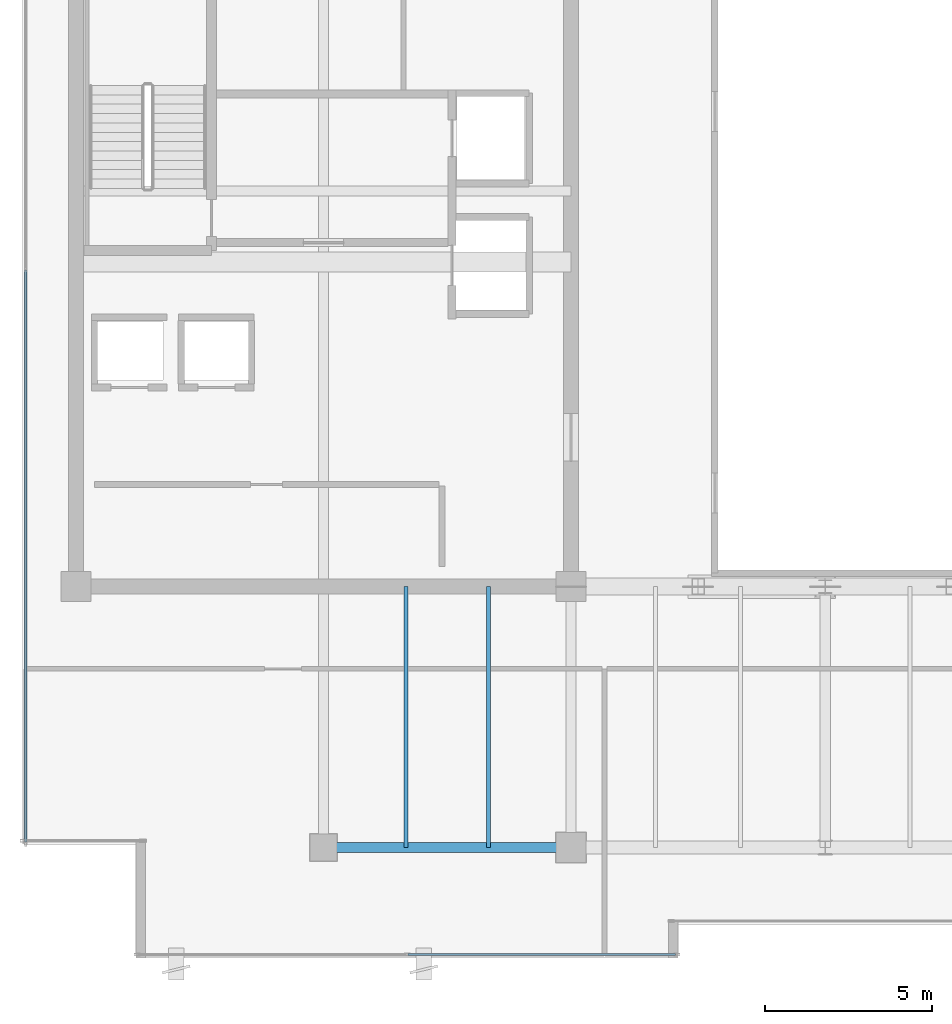
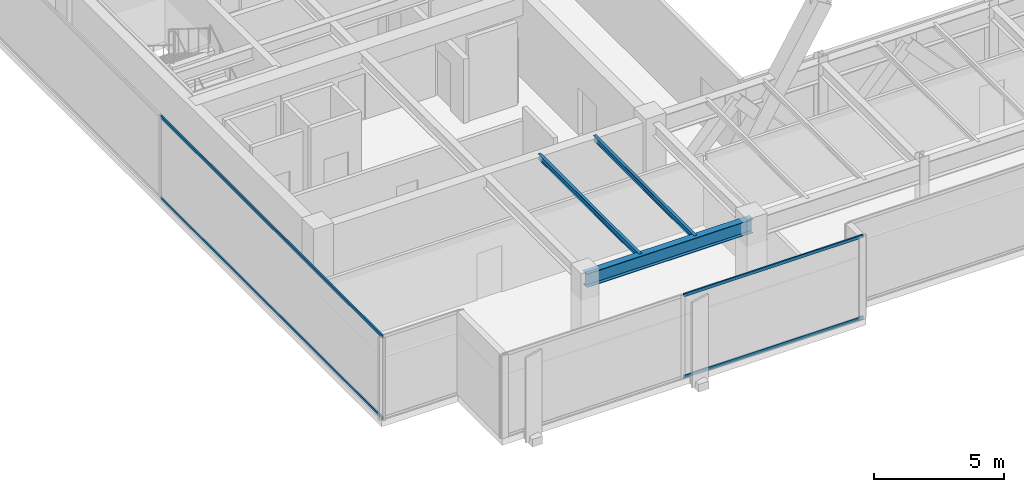
# One storey, part 5 of 32: 4 members, 3 beams, 2 elements without a shape of their own.
"""IFC4 building model written with IfcOpenShell, lengths in metres."""

from ifc_helpers import new_model, si_unit, direction, frame, origin, origin_2d, place, context, subcontext, project, spatial, hollow_rectangle, i_section, extrude, source, transform, mapped, material, layer, layer_set, material_profile, profile_set, type_object, type_shapes, element, aggregate, save


model = new_model("IFC4")

# Units and contexts
model_context = context("Model", 3, precision=1e-05, world=origin(), true_north=direction((0.0, 1.0)))
body_context = subcontext(model_context, "Body", "Model", "MODEL_VIEW")
ifc_project = project(units=[si_unit("LENGTHUNIT", "METRE"), si_unit("AREAUNIT", "SQUARE_METRE"), si_unit("VOLUMEUNIT", "CUBIC_METRE"), si_unit("PLANEANGLEUNIT", "RADIAN"), si_unit("MASSUNIT", "GRAM", prefix="KILO")], contexts=[model_context])

# Site, building, storey
site_placement = place(None, origin())
site = spatial("IfcSite", under=ifc_project, at=site_placement, CompositionType="ELEMENT")
building_placement = place(site_placement, origin())
building = spatial("IfcBuilding", under=site, at=building_placement, Name="Haelvirn Gate Laboratories", CompositionType="ELEMENT")
storey_placement = place(building_placement, frame((0.0, 0.0, 306.0)))
storey = spatial("IfcBuildingStorey", under=building, at=storey_placement, Name="L73", CompositionType="ELEMENT", Elevation=306.0)

# Beams
ifc_material_1 = material(Name="Steel SM355", Category="steel")
ifc_material_profile_1 = material_profile(ifc_material_1, i_section(OverallWidth=0.300048828125, OverallDepth=0.64990234375, WebThickness=0.012939453125, FlangeThickness=0.02197265625, at=origin_2d()), Name="H-650x300x13x22")
ifc_profile_set_1 = profile_set([ifc_material_profile_1], Name="Steel SM355")
beam_type_1 = type_object("IfcBeamType", Name="BM-G-650", PredefinedType="BEAM", material=ifc_profile_set_1)
shared_shape_1 = source(origin(), body_context, "Body", "SweptSolid", [
    extrude(i_section(OverallWidth=0.300048828125, OverallDepth=0.64990234375, WebThickness=0.012939453125, FlangeThickness=0.02197265625, at=origin_2d()), origin(), (0.0, 0.0, 1.0), 7.39990234375),
])
type_shapes(beam_type_1, [shared_shape_1])
beam_placement = place(storey_placement, frame((14.800048828125, 7.0, 3.574951171875), z_axis=(1.0, 0.0, 0.0), x_axis=(0.0, 1.0, 0.0)))
element("IfcBeam", 1, at=beam_placement, inside=storey, type_object=beam_type_1, Name="L73 Primary Girder Y7.0 (14.8-22.2)", PredefinedType="BEAM", context=body_context, shape_type="MappedRepresentation", body=[
    mapped(shared_shape_1, transform((0.0, 0.0, 0.0), scale=1.0)),
])
ifc_material_profile_2 = material_profile(ifc_material_1, i_section(OverallWidth=0.125, OverallDepth=0.25, WebThickness=0.006103515625, FlangeThickness=0.009033203125, at=origin_2d()), Name="H-250x125x6x9")
ifc_profile_set_2 = profile_set([ifc_material_profile_2], Name="Steel SM355")
beam_type_2 = type_object("IfcBeamType", Name="BM-J-250", PredefinedType="JOIST", material=ifc_profile_set_2)
shared_shape_2 = source(origin(), body_context, "Body", "SweptSolid", [
    extrude(i_section(OverallWidth=0.125, OverallDepth=0.25, WebThickness=0.006103515625, FlangeThickness=0.009033203125, at=origin_2d()), origin(), (0.0, 0.0, 1.0), 7.800048828125),
])
type_shapes(beam_type_2, [shared_shape_2])
for number, where, z_axis, x_axis, name in (
    (2, (17.27001953125, 7.0, 3.77490234375), (0.0, 1.0, 0.0), (-1.0, 0.0, 0.0), "L73 Composite Lab Joist South X17.27"),
    (3, (19.72998046875, 7.0, 3.77490234375), (0.0, 1.0, 0.0), (-1.0, 0.0, 0.0), "L73 Composite Lab Joist South X19.73"),
):
    element("IfcBeam", number, at=place(storey_placement, frame(where, z_axis=z_axis, x_axis=x_axis)), inside=storey, type_object=beam_type_2, Name=name, PredefinedType="JOIST", context=body_context, shape_type="MappedRepresentation", body=[
        mapped(shared_shape_2, transform((0.0, 0.0, 0.0), scale=1.0)),
    ])

# Curtain wall, members
ifc_material_2 = material(Name="Anodised bronze unitised aluminium & triple low-E glass", Category="aluminium")
ifc_layer = layer(ifc_material_2, 0.176025390625, Name="CW-SYS-4")
ifc_layer_set = layer_set([ifc_layer], Name="Anodised bronze unitised aluminium & triple low-E glass")
curtain_wall_type = type_object("IfcCurtainWallType", Name="CW-SYS-4", PredefinedType="NOTDEFINED", material=ifc_layer_set)
curtain_wall_1_placement = place(storey_placement, origin())
curtain_wall_1 = element("IfcCurtainWall", 4, at=curtain_wall_1_placement, inside=storey, type_object=curtain_wall_type, Name="L73 Unitised Curtain Wall CW-L73-P0-E17", PredefinedType="NOTDEFINED")
ifc_material_3 = material(Name="Extruded aluminium 6063-T6 (anodised bronze)", Category="aluminium")
ifc_material_profile_3 = material_profile(ifc_material_3, hollow_rectangle(XDim=0.06494140625, YDim=0.139892578125, WallThickness=0.00390625, at=origin_2d()), Name="CWT-140x65x4")
ifc_profile_set_3 = profile_set([ifc_material_profile_3], Name="Extruded aluminium 6063-T6 (anodised bronze)")
member_type = type_object("IfcMemberType", Name="CWT-T140", PredefinedType="USERDEFINED", material=ifc_profile_set_3)
shared_shape_3 = source(origin(), body_context, "Body", "SweptSolid", [
    extrude(hollow_rectangle(XDim=0.06494140625, YDim=0.139892578125, WallThickness=0.00390625, at=origin_2d()), origin(), (0.0, 0.0, 1.0), 17.094970703125),
])
member_1_placement = place(storey_placement, frame((5.89990234375, 24.264892578125, 0.032470703125), z_axis=(0.0, -1.0, 0.0), x_axis=(1.0, 0.0, 0.0)))
member_1 = element("IfcMember", 5, at=member_1_placement, type_object=member_type, Name="CW4 transom 2.1", ObjectType="TRANSOM", PredefinedType="USERDEFINED", context=body_context, shape_type="MappedRepresentation", body=[
    mapped(shared_shape_3, transform((0.0, 0.0, 0.0), scale=1.0)),
])
member_2_placement = place(storey_placement, frame((5.89990234375, 24.264892578125, 3.867431640625), z_axis=(0.0, -1.0, 0.0), x_axis=(1.0, 0.0, 0.0)))
member_2 = element("IfcMember", 6, at=member_2_placement, type_object=member_type, Name="CW4 transom 2.2", ObjectType="TRANSOM", PredefinedType="USERDEFINED", context=body_context, shape_type="MappedRepresentation", body=[
    mapped(shared_shape_3, transform((0.0, 0.0, 0.0), scale=1.0)),
])
aggregate(curtain_wall_1, [member_1, member_2])

curtain_wall_2_placement = place(storey_placement, origin())
curtain_wall_2 = element("IfcCurtainWall", 7, at=curtain_wall_2_placement, inside=storey, type_object=curtain_wall_type, Name="L73 Unitised Curtain Wall CW-L73-P0-E00-1", PredefinedType="NOTDEFINED")
shared_shape_4 = source(origin(), body_context, "Body", "SweptSolid", [
    extrude(hollow_rectangle(XDim=0.06494140625, YDim=0.139892578125, WallThickness=0.00390625, at=origin_2d()), origin(), (0.0, 0.0, 1.0), 7.9951171875),
])
type_shapes(member_type, [shared_shape_3, shared_shape_4])
member_3_placement = place(storey_placement, frame((17.3349609375, 3.800048828125, 0.032470703125), z_axis=(1.0, 0.0, 0.0), x_axis=(0.0, 1.0, 0.0)))
member_3 = element("IfcMember", 8, at=member_3_placement, type_object=member_type, Name="CW4 transom 2.1", ObjectType="TRANSOM", PredefinedType="USERDEFINED", context=body_context, shape_type="MappedRepresentation", body=[
    mapped(shared_shape_4, transform((0.0, 0.0, 0.0), scale=1.0)),
])
member_4_placement = place(storey_placement, frame((17.3349609375, 3.800048828125, 3.867431640625), z_axis=(1.0, 0.0, 0.0), x_axis=(0.0, 1.0, 0.0)))
member_4 = element("IfcMember", 9, at=member_4_placement, type_object=member_type, Name="CW4 transom 2.2", ObjectType="TRANSOM", PredefinedType="USERDEFINED", context=body_context, shape_type="MappedRepresentation", body=[
    mapped(shared_shape_4, transform((0.0, 0.0, 0.0), scale=1.0)),
])
aggregate(curtain_wall_2, [member_3, member_4])

save(model, "model.ifc")
